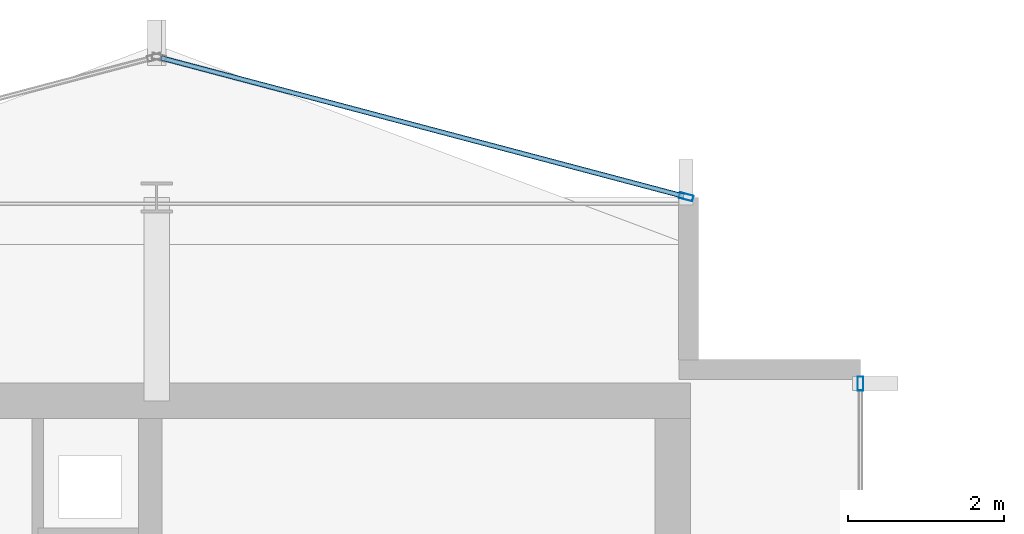
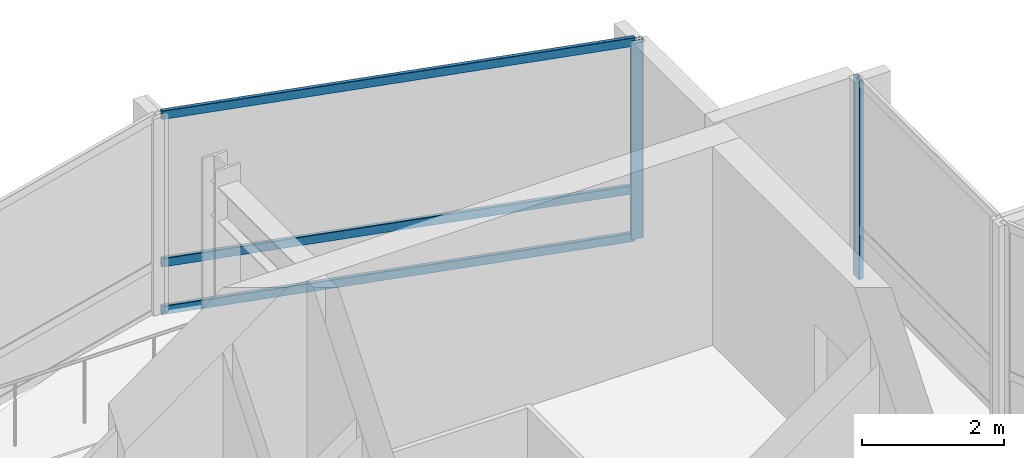
# One storey, part 18 of 27: 5 members, 2 elements without a shape of their own.
"""IFC4 building model written with IfcOpenShell, lengths in metres."""

from ifc_helpers import new_model, si_unit, direction, frame, origin, origin_2d, place, context, subcontext, project, spatial, hollow_rectangle, extrude, material, layer, layer_set, material_profile, profile_set, type_object, element, aggregate, save


model = new_model("IFC4")

# Units and contexts
model_context = context("Model", 3, precision=1e-05, world=origin(), true_north=direction((0.0, 1.0)))
body_context = subcontext(model_context, "Body", "Model", "MODEL_VIEW")
ifc_project = project(units=[si_unit("LENGTHUNIT", "METRE"), si_unit("AREAUNIT", "SQUARE_METRE"), si_unit("VOLUMEUNIT", "CUBIC_METRE"), si_unit("PLANEANGLEUNIT", "RADIAN"), si_unit("MASSUNIT", "GRAM", prefix="KILO")], contexts=[model_context])

# Site, building, storey
site_placement = place(None, origin())
site = spatial("IfcSite", under=ifc_project, at=site_placement, CompositionType="ELEMENT")
building_placement = place(site_placement, origin())
building = spatial("IfcBuilding", under=site, at=building_placement, Name="Solvaryn Broadcast Tower", CompositionType="ELEMENT")
storey_placement = place(building_placement, frame((0.0, 0.0, 228.39990234375)))
storey = spatial("IfcBuildingStorey", under=building, at=storey_placement, Name="L57", CompositionType="ELEMENT", Elevation=228.39990234375)

# Curtain wall, member
ifc_material_1 = material(Name="Aluminium and Terracotta Unitised Curtain Wall", Category="masonry")
ifc_layer = layer(ifc_material_1, 0.199951171875)
ifc_layer_set = layer_set([ifc_layer], Name="CW-SYS2-LOWMID")
curtain_wall_type = type_object("IfcCurtainWallType", Name="CW-SYS2-LOWMID", PredefinedType="NOTDEFINED", material=ifc_layer_set)
curtain_wall_1_placement = place(storey_placement, origin())
curtain_wall_1 = element("IfcCurtainWall", 1, at=curtain_wall_1_placement, inside=storey, type_object=curtain_wall_type, Name="L57 Curtain Wall IV", PredefinedType="NOTDEFINED")
ifc_material_2 = material(Name="Anodised Aluminium 6063-T6", Category="aluminium")
ifc_material_profile_1 = material_profile(ifc_material_2, hollow_rectangle(XDim=0.074951171875, YDim=0.179931640625, WallThickness=0.00390625, InnerFilletRadius=0.00390625, OuterFilletRadius=0.008056640625, at=origin_2d()))
ifc_profile_set_1 = profile_set([ifc_material_profile_1], Name="Anodised Aluminium 6063-T6")
member_type_1 = type_object("IfcMemberType", Name="CW-MUL-180", PredefinedType="MULLION", material=ifc_profile_set_1)
member_1_placement = place(storey_placement, frame((27.0, 42.6201171875, 0.0), z_axis=(0.0, 0.0, 1.0), x_axis=(1.0, 0.0, 0.0)))
member_1 = element("IfcMember", 2, at=member_1_placement, type_object=member_type_1, Name="CWS2 mullion 1", PredefinedType="MULLION", context=body_context, shape_type="SweptSolid", body=[
    extrude(hollow_rectangle(XDim=0.074951171875, YDim=0.179931640625, WallThickness=0.00390625, InnerFilletRadius=0.00390625, OuterFilletRadius=0.008056640625, at=origin_2d()), origin(), (0.0, 0.0, 1.0), 3.420166015625),
])
aggregate(curtain_wall_1, [member_1])

# Curtain wall, members
curtain_wall_2_placement = place(storey_placement, origin())
curtain_wall_2 = element("IfcCurtainWall", 3, at=curtain_wall_2_placement, inside=storey, type_object=curtain_wall_type, Name="L57 Curtain Wall NT1", PredefinedType="NOTDEFINED")
member_2_placement = place(storey_placement, frame((24.77099609375, 45.007568359375, 0.0), z_axis=(0.0, 0.0, 1.0), x_axis=(-0.25589256031, -0.966705227863, 0.0)))
member_2 = element("IfcMember", 4, at=member_2_placement, type_object=member_type_1, Name="CWS2 mullion 1", PredefinedType="MULLION", context=body_context, shape_type="SweptSolid", body=[
    extrude(hollow_rectangle(XDim=0.074951171875, YDim=0.179931640625, WallThickness=0.00390625, InnerFilletRadius=0.00390625, OuterFilletRadius=0.008056640625, at=origin_2d()), origin(), (0.0, 0.0, 1.0), 3.420166015625),
])
ifc_material_3 = material(Name="Anodised Aluminium 6063-T6", Category="aluminium")
ifc_material_profile_2 = material_profile(ifc_material_3, hollow_rectangle(XDim=0.06494140625, YDim=0.14990234375, WallThickness=0.00390625, InnerFilletRadius=0.00390625, OuterFilletRadius=0.008056640625, at=origin_2d()))
ifc_profile_set_2 = profile_set([ifc_material_profile_2], Name="Anodised Aluminium 6063-T6")
member_type_2 = type_object("IfcMemberType", Name="CW-TRN-150", PredefinedType="USERDEFINED", material=ifc_profile_set_2)
member_3_placement = place(storey_placement, frame((24.741943359375, 45.015380859375, 0.030029296875), z_axis=(-0.966703943301, 0.255897413051, 0.0), x_axis=(-0.255897413051, -0.966703943301, 0.0)))
member_3 = element("IfcMember", 5, at=member_3_placement, type_object=member_type_2, Name="CWS2 transom 1.1", ObjectType="TRANSOM", PredefinedType="USERDEFINED", context=body_context, shape_type="SweptSolid", body=[
    extrude(hollow_rectangle(XDim=0.06494140625, YDim=0.14990234375, WallThickness=0.00390625, InnerFilletRadius=0.00390625, OuterFilletRadius=0.008056640625, at=origin_2d()), origin(), (0.0, 0.0, 1.0), 6.9140625),
])
member_4_placement = place(storey_placement, frame((24.741943359375, 45.015380859375, 0.85009765625), z_axis=(-0.966703943301, 0.255897413051, 0.0), x_axis=(-0.255897413051, -0.966703943301, 0.0)))
member_4 = element("IfcMember", 6, at=member_4_placement, type_object=member_type_2, Name="CWS2 transom 1.2", ObjectType="TRANSOM", PredefinedType="USERDEFINED", context=body_context, shape_type="SweptSolid", body=[
    extrude(hollow_rectangle(XDim=0.06494140625, YDim=0.14990234375, WallThickness=0.00390625, InnerFilletRadius=0.00390625, OuterFilletRadius=0.008056640625, at=origin_2d()), origin(), (0.0, 0.0, 1.0), 6.9140625),
])
member_5_placement = place(storey_placement, frame((24.741943359375, 45.015380859375, 3.39013671875), z_axis=(-0.966703943301, 0.255897413051, 0.0), x_axis=(-0.255897413051, -0.966703943301, 0.0)))
member_5 = element("IfcMember", 7, at=member_5_placement, type_object=member_type_2, Name="CWS2 transom 1.3", ObjectType="TRANSOM", PredefinedType="USERDEFINED", context=body_context, shape_type="SweptSolid", body=[
    extrude(hollow_rectangle(XDim=0.06494140625, YDim=0.14990234375, WallThickness=0.00390625, InnerFilletRadius=0.00390625, OuterFilletRadius=0.008056640625, at=origin_2d()), origin(), (0.0, 0.0, 1.0), 6.9140625),
])
aggregate(curtain_wall_2, [member_2, member_3, member_4, member_5])

save(model, "model.ifc")
